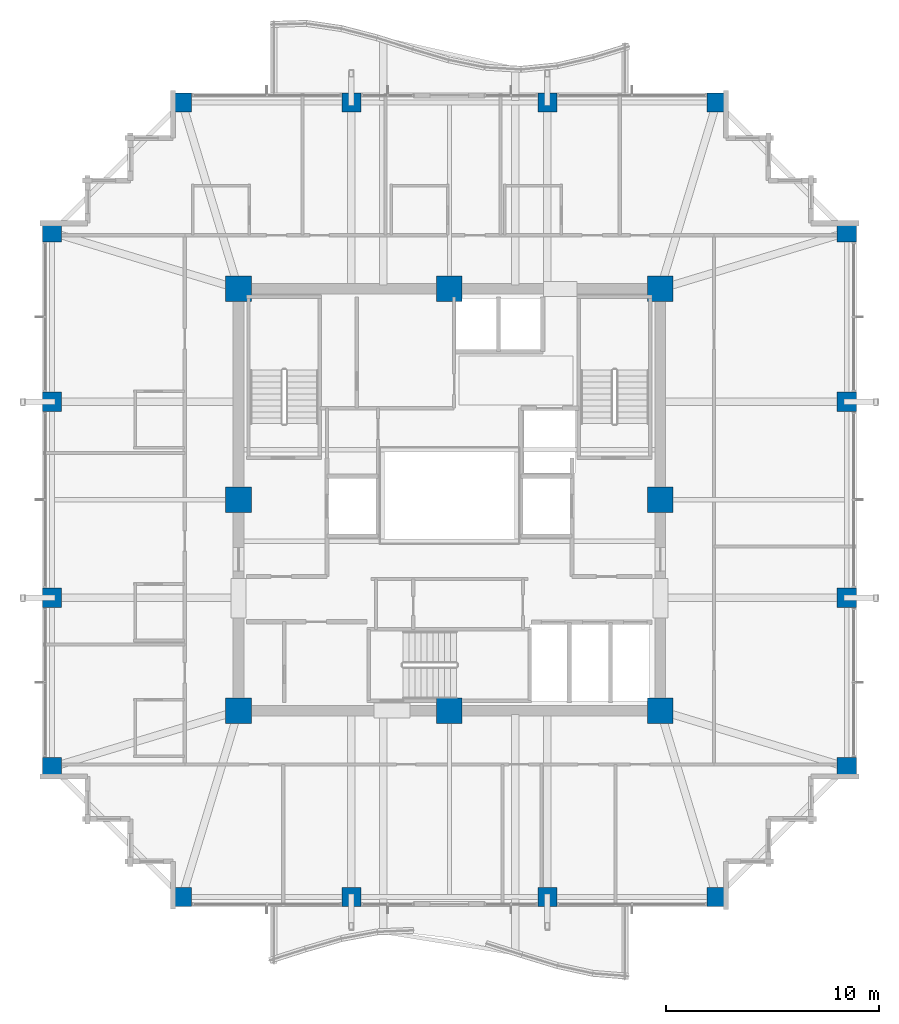
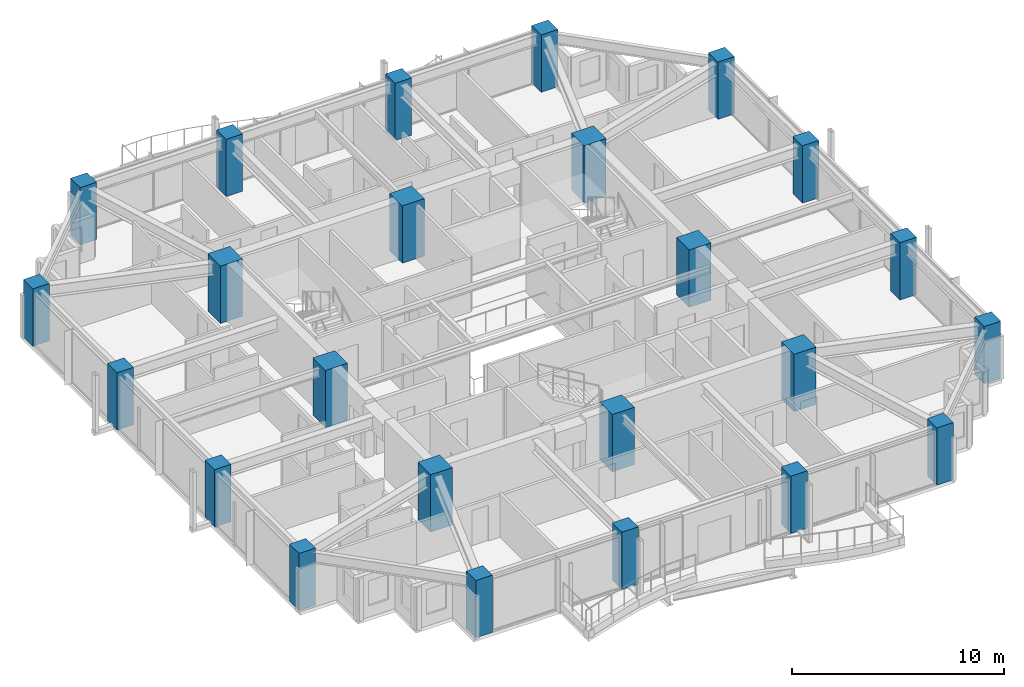
# One storey, part 1 of 32: 24 columns.
"""IFC4 building model written with IfcOpenShell, lengths in metres."""

from ifc_helpers import new_model, si_unit, direction, frame, origin, origin_2d, place, context, subcontext, project, spatial, rectangle, extrude, material, material_profile, profile_set, type_object, element, save


model = new_model("IFC4")

# Units and contexts
model_context = context("Model", 3, precision=1e-05, world=origin(), true_north=direction((0.0, 1.0)))
body_context = subcontext(model_context, "Body", "Model", "MODEL_VIEW")
ifc_project = project(units=[si_unit("LENGTHUNIT", "METRE"), si_unit("AREAUNIT", "SQUARE_METRE"), si_unit("VOLUMEUNIT", "CUBIC_METRE"), si_unit("PLANEANGLEUNIT", "RADIAN"), si_unit("MASSUNIT", "GRAM", prefix="KILO")], contexts=[model_context])

# Site, building, storey
site_placement = place(None, origin())
site = spatial("IfcSite", under=ifc_project, at=site_placement, CompositionType="ELEMENT")
building_placement = place(site_placement, origin())
building = spatial("IfcBuilding", under=site, at=building_placement, Name="Kolvaren Belvedere", CompositionType="ELEMENT")
storey_placement = place(building_placement, frame((0.0, 0.0, 160.199951171875)))
storey = spatial("IfcBuildingStorey", under=building, at=storey_placement, Name="L46", CompositionType="ELEMENT", Elevation=160.199951171875)

# Columns
ifc_material_1 = material(Name="Concrete C60/75", Category="concrete")
ifc_material_profile_1 = material_profile(ifc_material_1, rectangle(XDim=1.199951171875, YDim=1.199951171875, at=origin_2d()), Name="RC 1200X1200")
ifc_profile_set_1 = profile_set([ifc_material_profile_1], Name="Concrete C60/75")
column_type_1 = type_object("IfcColumnType", Name="COL-RC-1200", PredefinedType="COLUMN", material=ifc_profile_set_1)
for number, where, z_axis, x_axis, name in (
    (1, (-9.89990234375, -9.89990234375, 0.0), (0.0, 0.0, 1.0), (1.0, 0.0, 0.0), "L46 Core Column CC1"),
    (2, (9.89990234375, -9.89990234375, 0.0), (0.0, 0.0, 1.0), (1.0, 0.0, 0.0), "L46 Core Column CC2"),
    (3, (9.89990234375, 9.89990234375, 0.0), (0.0, 0.0, 1.0), (1.0, 0.0, 0.0), "L46 Core Column CC3"),
    (4, (-9.89990234375, 9.89990234375, 0.0), (0.0, 0.0, 1.0), (1.0, 0.0, 0.0), "L46 Core Column CC4"),
    (5, (0.0, -9.89990234375, 0.0), (0.0, 0.0, 1.0), (1.0, 0.0, 0.0), "L46 Core Column CM1"),
    (6, (9.89990234375, 0.0, 0.0), (0.0, 0.0, 1.0), (1.0, 0.0, 0.0), "L46 Core Column CM2"),
    (7, (0.0, 9.89990234375, 0.0), (0.0, 0.0, 1.0), (1.0, 0.0, 0.0), "L46 Core Column CM3"),
    (8, (-9.89990234375, 0.0, 0.0), (0.0, 0.0, 1.0), (1.0, 0.0, 0.0), "L46 Core Column CM4"),
):
    element("IfcColumn", number, at=place(storey_placement, frame(where, z_axis=z_axis, x_axis=x_axis)), inside=storey, type_object=column_type_1, Name=name, PredefinedType="COLUMN", context=body_context, shape_type="SweptSolid", body=[
        extrude(rectangle(XDim=1.199951171875, YDim=1.199951171875, at=origin_2d()), origin(), (0.0, 0.0, 1.0), 3.300048828125),
    ])
ifc_material_2 = material(Name="Concrete C50/60", Category="concrete")
ifc_material_profile_2 = material_profile(ifc_material_2, rectangle(XDim=0.89990234375, YDim=0.89990234375, at=origin_2d()), Name="RC 900X900")
ifc_profile_set_2 = profile_set([ifc_material_profile_2], Name="Concrete C50/60")
column_type_2 = type_object("IfcColumnType", Name="COL-RC-900", PredefinedType="COLUMN", material=ifc_profile_set_2)
for number, where, z_axis, x_axis, name in (
    (9, (-12.550048828125, -18.64990234375, 0.0), (0.0, 0.0, 1.0), (1.0, 0.0, 0.0), "L46 Perimeter Column S1"),
    (10, (-4.60009765625, -18.64990234375, 0.0), (0.0, 0.0, 1.0), (1.0, 0.0, 0.0), "L46 Perimeter Column S2"),
    (11, (4.60009765625, -18.64990234375, 0.0), (0.0, 0.0, 1.0), (1.0, 0.0, 0.0), "L46 Perimeter Column S3"),
    (12, (12.550048828125, -18.64990234375, 0.0), (0.0, 0.0, 1.0), (1.0, 0.0, 0.0), "L46 Perimeter Column S4"),
    (13, (-12.550048828125, 18.64990234375, 0.0), (0.0, 0.0, 1.0), (1.0, 0.0, 0.0), "L46 Perimeter Column N1"),
    (14, (-4.60009765625, 18.64990234375, 0.0), (0.0, 0.0, 1.0), (1.0, 0.0, 0.0), "L46 Perimeter Column N2"),
    (15, (4.60009765625, 18.64990234375, 0.0), (0.0, 0.0, 1.0), (1.0, 0.0, 0.0), "L46 Perimeter Column N3"),
    (16, (12.550048828125, 18.64990234375, 0.0), (0.0, 0.0, 1.0), (1.0, 0.0, 0.0), "L46 Perimeter Column N4"),
    (17, (-18.64990234375, -12.550048828125, 0.0), (0.0, 0.0, 1.0), (1.0, 0.0, 0.0), "L46 Perimeter Column W1"),
    (18, (-18.64990234375, -4.60009765625, 0.0), (0.0, 0.0, 1.0), (1.0, 0.0, 0.0), "L46 Perimeter Column W2"),
    (19, (-18.64990234375, 4.60009765625, 0.0), (0.0, 0.0, 1.0), (1.0, 0.0, 0.0), "L46 Perimeter Column W3"),
    (20, (-18.64990234375, 12.550048828125, 0.0), (0.0, 0.0, 1.0), (1.0, 0.0, 0.0), "L46 Perimeter Column W4"),
    (21, (18.64990234375, -12.550048828125, 0.0), (0.0, 0.0, 1.0), (1.0, 0.0, 0.0), "L46 Perimeter Column E1"),
    (22, (18.64990234375, -4.60009765625, 0.0), (0.0, 0.0, 1.0), (1.0, 0.0, 0.0), "L46 Perimeter Column E2"),
    (23, (18.64990234375, 4.60009765625, 0.0), (0.0, 0.0, 1.0), (1.0, 0.0, 0.0), "L46 Perimeter Column E3"),
    (24, (18.64990234375, 12.550048828125, 0.0), (0.0, 0.0, 1.0), (1.0, 0.0, 0.0), "L46 Perimeter Column E4"),
):
    element("IfcColumn", number, at=place(storey_placement, frame(where, z_axis=z_axis, x_axis=x_axis)), inside=storey, type_object=column_type_2, Name=name, PredefinedType="COLUMN", context=body_context, shape_type="SweptSolid", body=[
        extrude(rectangle(XDim=0.89990234375, YDim=0.89990234375, at=origin_2d()), origin(), (0.0, 0.0, 1.0), 3.300048828125),
    ])

save(model, "model.ifc")
